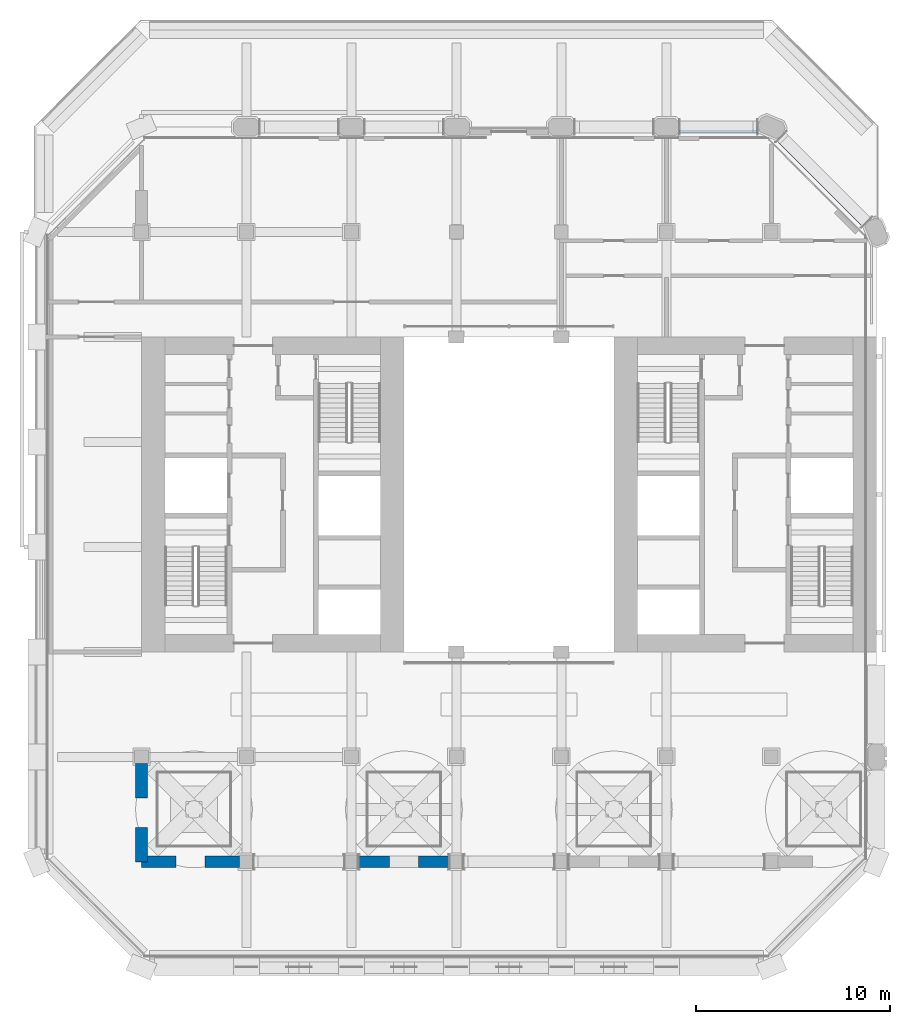
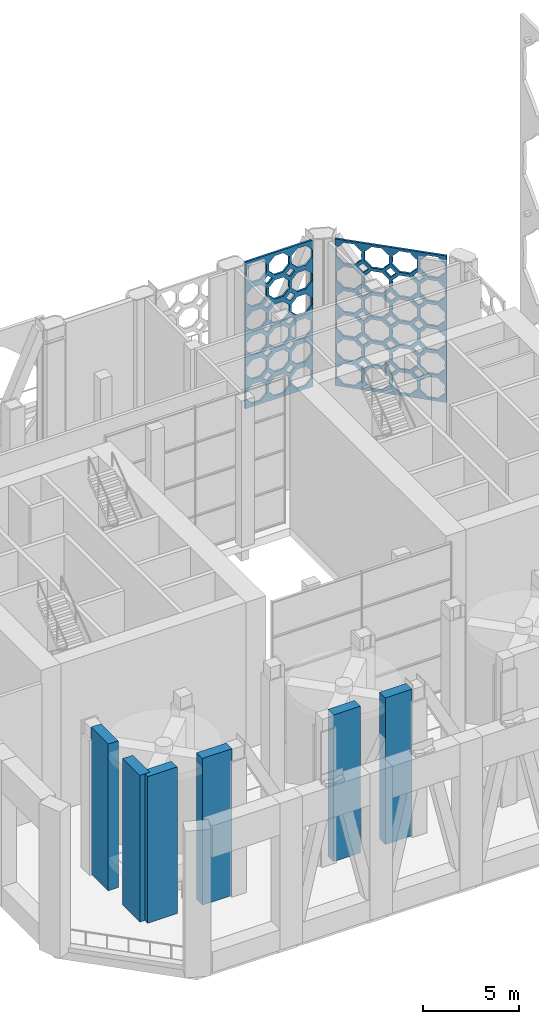
# One storey, part 9 of 28: 6 walls, 2 plates.
"""IFC4 building model written with IfcOpenShell, lengths in metres."""

from ifc_helpers import new_model, si_unit, direction, frame, frame_2d, origin, place, context, subcontext, project, spatial, polyline, rectangle, outline, extrude, material, layer, layer_set, type_object, element, save


model = new_model("IFC4")

# Units and contexts
model_context = context("Model", 3, precision=1e-05, world=origin(), true_north=direction((0.0, 1.0)))
body_context = subcontext(model_context, "Body", "Model", "MODEL_VIEW")
ifc_project = project(units=[si_unit("LENGTHUNIT", "METRE"), si_unit("AREAUNIT", "SQUARE_METRE"), si_unit("VOLUMEUNIT", "CUBIC_METRE"), si_unit("PLANEANGLEUNIT", "RADIAN"), si_unit("MASSUNIT", "GRAM", prefix="KILO")], contexts=[model_context])

# Site, building, storey
site_placement = place(None, origin())
site = spatial("IfcSite", under=ifc_project, at=site_placement, CompositionType="ELEMENT")
building_placement = place(site_placement, origin())
building = spatial("IfcBuilding", under=site, at=building_placement, Name="Tabaq Tower and Sports Hall", CompositionType="ELEMENT")
storey_placement = place(building_placement, frame((0.0, 0.0, 233.5)))
storey = spatial("IfcBuildingStorey", under=building, at=storey_placement, Name="L59", CompositionType="ELEMENT", Elevation=233.5)

# Plates
ifc_material_1 = material(Name="White precast concrete C60/75 pierced screen", Category="concrete")
ifc_layer_1 = layer(ifc_material_1, 0.1201171875)
ifc_layer_set_1 = layer_set([ifc_layer_1], Name="White precast concrete C60/75 screen 120")
plate_type = type_object("IfcPlateType", Name="White precast concrete C60/75 screen 120", PredefinedType="USERDEFINED", material=ifc_layer_set_1)
plate_1_placement = place(storey_placement, frame((42.43994140625, 38.20654296875, 0.0), z_axis=(0.0, 0.0, 1.0), x_axis=(-0.707106781187, 0.707106781187, 0.0)))
element("IfcPlate", 1, at=plate_1_placement, inside=storey, type_object=plate_type, Name="Pierced screen L59 NE", ObjectType="SCREEN", PredefinedType="USERDEFINED", context=body_context, shape_type="SweptSolid", body=[
    extrude(outline(polyline([(0.0, 0.0), (5.98681640625, 0.0), (5.98681640625, 9.300048828125), (0.0, 9.300048828125), (0.0, 0.0)]), holes=[polyline([(1.423095703125, 1.09619140625), (1.213134765625, 1.281494140625), (1.02783203125, 1.491455078125), (0.748291015625, 1.47412109375), (0.46875, 1.491455078125), (0.283447265625, 1.281494140625), (0.073486328125, 1.09619140625), (0.091064453125, 0.816650390625), (0.073486328125, 0.537109375), (0.283447265625, 0.351806640625), (0.46875, 0.141845703125), (0.748291015625, 0.159423828125), (1.02783203125, 0.141845703125), (1.213134765625, 0.351806640625), (1.423095703125, 0.537109375), (1.40576171875, 0.816650390625), (1.423095703125, 1.09619140625)]), polyline([(1.423095703125, 2.62939453125), (1.213134765625, 2.814697265625), (1.02783203125, 3.02490234375), (0.748291015625, 3.00732421875), (0.46875, 3.02490234375), (0.283447265625, 2.814697265625), (0.073486328125, 2.62939453125), (0.091064453125, 2.35009765625), (0.073486328125, 2.070556640625), (0.283447265625, 1.88525390625), (0.46875, 1.67529296875), (0.748291015625, 1.692626953125), (1.02783203125, 1.67529296875), (1.213134765625, 1.88525390625), (1.423095703125, 2.070556640625), (1.40576171875, 2.35009765625), (1.423095703125, 2.62939453125)]), polyline([(1.423095703125, 4.162841796875), (1.213134765625, 4.34814453125), (1.02783203125, 4.55810546875), (0.748291015625, 4.540771484375), (0.46875, 4.55810546875), (0.283447265625, 4.34814453125), (0.073486328125, 4.162841796875), (0.091064453125, 3.88330078125), (0.073486328125, 3.603759765625), (0.283447265625, 3.41845703125), (0.46875, 3.20849609375), (0.748291015625, 3.22607421875), (1.02783203125, 3.20849609375), (1.213134765625, 3.41845703125), (1.423095703125, 3.603759765625), (1.40576171875, 3.88330078125), (1.423095703125, 4.162841796875)]), polyline([(1.423095703125, 5.6962890625), (1.213134765625, 5.881591796875), (1.02783203125, 6.091552734375), (0.748291015625, 6.073974609375), (0.46875, 6.091552734375), (0.283447265625, 5.881591796875), (0.073486328125, 5.6962890625), (0.091064453125, 5.416748046875), (0.073486328125, 5.13720703125), (0.283447265625, 4.951904296875), (0.46875, 4.741943359375), (0.748291015625, 4.75927734375), (1.02783203125, 4.741943359375), (1.213134765625, 4.951904296875), (1.423095703125, 5.13720703125), (1.40576171875, 5.416748046875), (1.423095703125, 5.6962890625)]), polyline([(1.423095703125, 7.2294921875), (1.213134765625, 7.414794921875), (1.02783203125, 7.624755859375), (0.748291015625, 7.607421875), (0.46875, 7.624755859375), (0.283447265625, 7.414794921875), (0.073486328125, 7.2294921875), (0.091064453125, 6.949951171875), (0.073486328125, 6.67041015625), (0.283447265625, 6.485107421875), (0.46875, 6.275146484375), (0.748291015625, 6.292724609375), (1.02783203125, 6.275146484375), (1.213134765625, 6.485107421875), (1.423095703125, 6.67041015625), (1.40576171875, 6.949951171875), (1.423095703125, 7.2294921875)]), polyline([(1.423095703125, 8.762939453125), (1.213134765625, 8.9482421875), (1.02783203125, 9.158203125), (0.748291015625, 9.140625), (0.46875, 9.158203125), (0.283447265625, 8.9482421875), (0.073486328125, 8.762939453125), (0.091064453125, 8.4833984375), (0.073486328125, 8.203857421875), (0.283447265625, 8.0185546875), (0.46875, 7.80859375), (0.748291015625, 7.825927734375), (1.02783203125, 7.80859375), (1.213134765625, 8.0185546875), (1.423095703125, 8.203857421875), (1.40576171875, 8.4833984375), (1.423095703125, 8.762939453125)]), polyline([(2.919921875, 1.09619140625), (2.7099609375, 1.281494140625), (2.524658203125, 1.491455078125), (2.2451171875, 1.47412109375), (1.965576171875, 1.491455078125), (1.7802734375, 1.281494140625), (1.5703125, 1.09619140625), (1.587646484375, 0.816650390625), (1.5703125, 0.537109375), (1.7802734375, 0.351806640625), (1.965576171875, 0.141845703125), (2.2451171875, 0.159423828125), (2.524658203125, 0.141845703125), (2.7099609375, 0.351806640625), (2.919921875, 0.537109375), (2.90234375, 0.816650390625), (2.919921875, 1.09619140625)]), polyline([(2.919921875, 2.62939453125), (2.7099609375, 2.814697265625), (2.524658203125, 3.02490234375), (2.2451171875, 3.00732421875), (1.965576171875, 3.02490234375), (1.7802734375, 2.814697265625), (1.5703125, 2.62939453125), (1.587646484375, 2.35009765625), (1.5703125, 2.070556640625), (1.7802734375, 1.88525390625), (1.965576171875, 1.67529296875), (2.2451171875, 1.692626953125), (2.524658203125, 1.67529296875), (2.7099609375, 1.88525390625), (2.919921875, 2.070556640625), (2.90234375, 2.35009765625), (2.919921875, 2.62939453125)]), polyline([(2.919921875, 4.162841796875), (2.7099609375, 4.34814453125), (2.524658203125, 4.55810546875), (2.2451171875, 4.540771484375), (1.965576171875, 4.55810546875), (1.7802734375, 4.34814453125), (1.5703125, 4.162841796875), (1.587646484375, 3.88330078125), (1.5703125, 3.603759765625), (1.7802734375, 3.41845703125), (1.965576171875, 3.20849609375), (2.2451171875, 3.22607421875), (2.524658203125, 3.20849609375), (2.7099609375, 3.41845703125), (2.919921875, 3.603759765625), (2.90234375, 3.88330078125), (2.919921875, 4.162841796875)]), polyline([(2.919921875, 5.6962890625), (2.7099609375, 5.881591796875), (2.524658203125, 6.091552734375), (2.2451171875, 6.073974609375), (1.965576171875, 6.091552734375), (1.7802734375, 5.881591796875), (1.5703125, 5.6962890625), (1.587646484375, 5.416748046875), (1.5703125, 5.13720703125), (1.7802734375, 4.951904296875), (1.965576171875, 4.741943359375), (2.2451171875, 4.75927734375), (2.524658203125, 4.741943359375), (2.7099609375, 4.951904296875), (2.919921875, 5.13720703125), (2.90234375, 5.416748046875), (2.919921875, 5.6962890625)]), polyline([(2.919921875, 7.2294921875), (2.7099609375, 7.414794921875), (2.524658203125, 7.624755859375), (2.2451171875, 7.607421875), (1.965576171875, 7.624755859375), (1.7802734375, 7.414794921875), (1.5703125, 7.2294921875), (1.587646484375, 6.949951171875), (1.5703125, 6.67041015625), (1.7802734375, 6.485107421875), (1.965576171875, 6.275146484375), (2.2451171875, 6.292724609375), (2.524658203125, 6.275146484375), (2.7099609375, 6.485107421875), (2.919921875, 6.67041015625), (2.90234375, 6.949951171875), (2.919921875, 7.2294921875)]), polyline([(2.919921875, 8.762939453125), (2.7099609375, 8.9482421875), (2.524658203125, 9.158203125), (2.2451171875, 9.140625), (1.965576171875, 9.158203125), (1.7802734375, 8.9482421875), (1.5703125, 8.762939453125), (1.587646484375, 8.4833984375), (1.5703125, 8.203857421875), (1.7802734375, 8.0185546875), (1.965576171875, 7.80859375), (2.2451171875, 7.825927734375), (2.524658203125, 7.80859375), (2.7099609375, 8.0185546875), (2.919921875, 8.203857421875), (2.90234375, 8.4833984375), (2.919921875, 8.762939453125)]), polyline([(4.41650390625, 1.09619140625), (4.20654296875, 1.281494140625), (4.021240234375, 1.491455078125), (3.74169921875, 1.47412109375), (3.462158203125, 1.491455078125), (3.27685546875, 1.281494140625), (3.06689453125, 1.09619140625), (3.08447265625, 0.816650390625), (3.06689453125, 0.537109375), (3.27685546875, 0.351806640625), (3.462158203125, 0.141845703125), (3.74169921875, 0.159423828125), (4.021240234375, 0.141845703125), (4.20654296875, 0.351806640625), (4.41650390625, 0.537109375), (4.399169921875, 0.816650390625), (4.41650390625, 1.09619140625)]), polyline([(4.41650390625, 2.62939453125), (4.20654296875, 2.814697265625), (4.021240234375, 3.02490234375), (3.74169921875, 3.00732421875), (3.462158203125, 3.02490234375), (3.27685546875, 2.814697265625), (3.06689453125, 2.62939453125), (3.08447265625, 2.35009765625), (3.06689453125, 2.070556640625), (3.27685546875, 1.88525390625), (3.462158203125, 1.67529296875), (3.74169921875, 1.692626953125), (4.021240234375, 1.67529296875), (4.20654296875, 1.88525390625), (4.41650390625, 2.070556640625), (4.399169921875, 2.35009765625), (4.41650390625, 2.62939453125)]), polyline([(4.41650390625, 4.162841796875), (4.20654296875, 4.34814453125), (4.021240234375, 4.55810546875), (3.74169921875, 4.540771484375), (3.462158203125, 4.55810546875), (3.27685546875, 4.34814453125), (3.06689453125, 4.162841796875), (3.08447265625, 3.88330078125), (3.06689453125, 3.603759765625), (3.27685546875, 3.41845703125), (3.462158203125, 3.20849609375), (3.74169921875, 3.22607421875), (4.021240234375, 3.20849609375), (4.20654296875, 3.41845703125), (4.41650390625, 3.603759765625), (4.399169921875, 3.88330078125), (4.41650390625, 4.162841796875)]), polyline([(4.41650390625, 5.6962890625), (4.20654296875, 5.881591796875), (4.021240234375, 6.091552734375), (3.74169921875, 6.073974609375), (3.462158203125, 6.091552734375), (3.27685546875, 5.881591796875), (3.06689453125, 5.6962890625), (3.08447265625, 5.416748046875), (3.06689453125, 5.13720703125), (3.27685546875, 4.951904296875), (3.462158203125, 4.741943359375), (3.74169921875, 4.75927734375), (4.021240234375, 4.741943359375), (4.20654296875, 4.951904296875), (4.41650390625, 5.13720703125), (4.399169921875, 5.416748046875), (4.41650390625, 5.6962890625)]), polyline([(4.41650390625, 7.2294921875), (4.20654296875, 7.414794921875), (4.021240234375, 7.624755859375), (3.74169921875, 7.607421875), (3.462158203125, 7.624755859375), (3.27685546875, 7.414794921875), (3.06689453125, 7.2294921875), (3.08447265625, 6.949951171875), (3.06689453125, 6.67041015625), (3.27685546875, 6.485107421875), (3.462158203125, 6.275146484375), (3.74169921875, 6.292724609375), (4.021240234375, 6.275146484375), (4.20654296875, 6.485107421875), (4.41650390625, 6.67041015625), (4.399169921875, 6.949951171875), (4.41650390625, 7.2294921875)]), polyline([(4.41650390625, 8.762939453125), (4.20654296875, 8.9482421875), (4.021240234375, 9.158203125), (3.74169921875, 9.140625), (3.462158203125, 9.158203125), (3.27685546875, 8.9482421875), (3.06689453125, 8.762939453125), (3.08447265625, 8.4833984375), (3.06689453125, 8.203857421875), (3.27685546875, 8.0185546875), (3.462158203125, 7.80859375), (3.74169921875, 7.825927734375), (4.021240234375, 7.80859375), (4.20654296875, 8.0185546875), (4.41650390625, 8.203857421875), (4.399169921875, 8.4833984375), (4.41650390625, 8.762939453125)]), polyline([(5.9130859375, 1.09619140625), (5.703125, 1.281494140625), (5.517822265625, 1.491455078125), (5.238525390625, 1.47412109375), (4.958984375, 1.491455078125), (4.773681640625, 1.281494140625), (4.563720703125, 1.09619140625), (4.5810546875, 0.816650390625), (4.563720703125, 0.537109375), (4.773681640625, 0.351806640625), (4.958984375, 0.141845703125), (5.238525390625, 0.159423828125), (5.517822265625, 0.141845703125), (5.703125, 0.351806640625), (5.9130859375, 0.537109375), (5.895751953125, 0.816650390625), (5.9130859375, 1.09619140625)]), polyline([(5.9130859375, 2.62939453125), (5.703125, 2.814697265625), (5.517822265625, 3.02490234375), (5.238525390625, 3.00732421875), (4.958984375, 3.02490234375), (4.773681640625, 2.814697265625), (4.563720703125, 2.62939453125), (4.5810546875, 2.35009765625), (4.563720703125, 2.070556640625), (4.773681640625, 1.88525390625), (4.958984375, 1.67529296875), (5.238525390625, 1.692626953125), (5.517822265625, 1.67529296875), (5.703125, 1.88525390625), (5.9130859375, 2.070556640625), (5.895751953125, 2.35009765625), (5.9130859375, 2.62939453125)]), polyline([(5.9130859375, 4.162841796875), (5.703125, 4.34814453125), (5.517822265625, 4.55810546875), (5.238525390625, 4.540771484375), (4.958984375, 4.55810546875), (4.773681640625, 4.34814453125), (4.563720703125, 4.162841796875), (4.5810546875, 3.88330078125), (4.563720703125, 3.603759765625), (4.773681640625, 3.41845703125), (4.958984375, 3.20849609375), (5.238525390625, 3.22607421875), (5.517822265625, 3.20849609375), (5.703125, 3.41845703125), (5.9130859375, 3.603759765625), (5.895751953125, 3.88330078125), (5.9130859375, 4.162841796875)]), polyline([(5.9130859375, 5.6962890625), (5.703125, 5.881591796875), (5.517822265625, 6.091552734375), (5.238525390625, 6.073974609375), (4.958984375, 6.091552734375), (4.773681640625, 5.881591796875), (4.563720703125, 5.6962890625), (4.5810546875, 5.416748046875), (4.563720703125, 5.13720703125), (4.773681640625, 4.951904296875), (4.958984375, 4.741943359375), (5.238525390625, 4.75927734375), (5.517822265625, 4.741943359375), (5.703125, 4.951904296875), (5.9130859375, 5.13720703125), (5.895751953125, 5.416748046875), (5.9130859375, 5.6962890625)]), polyline([(5.9130859375, 7.2294921875), (5.703125, 7.414794921875), (5.517822265625, 7.624755859375), (5.238525390625, 7.607421875), (4.958984375, 7.624755859375), (4.773681640625, 7.414794921875), (4.563720703125, 7.2294921875), (4.5810546875, 6.949951171875), (4.563720703125, 6.67041015625), (4.773681640625, 6.485107421875), (4.958984375, 6.275146484375), (5.238525390625, 6.292724609375), (5.517822265625, 6.275146484375), (5.703125, 6.485107421875), (5.9130859375, 6.67041015625), (5.895751953125, 6.949951171875), (5.9130859375, 7.2294921875)]), polyline([(5.9130859375, 8.762939453125), (5.703125, 8.9482421875), (5.517822265625, 9.158203125), (5.238525390625, 9.140625), (4.958984375, 9.158203125), (4.773681640625, 8.9482421875), (4.563720703125, 8.762939453125), (4.5810546875, 8.4833984375), (4.563720703125, 8.203857421875), (4.773681640625, 8.0185546875), (4.958984375, 7.80859375), (5.238525390625, 7.825927734375), (5.517822265625, 7.80859375), (5.703125, 8.0185546875), (5.9130859375, 8.203857421875), (5.895751953125, 8.4833984375), (5.9130859375, 8.762939453125)]), polyline([(1.796142578125, 1.583251953125), (1.49658203125, 1.882568359375), (1.197265625, 1.583251953125), (1.49658203125, 1.283935546875), (1.796142578125, 1.583251953125)]), polyline([(1.796142578125, 3.11669921875), (1.49658203125, 3.416015625), (1.197265625, 3.11669921875), (1.49658203125, 2.8173828125), (1.796142578125, 3.11669921875)]), polyline([(1.796142578125, 4.64990234375), (1.49658203125, 4.94921875), (1.197265625, 4.64990234375), (1.49658203125, 4.3505859375), (1.796142578125, 4.64990234375)]), polyline([(1.796142578125, 6.183349609375), (1.49658203125, 6.482666015625), (1.197265625, 6.183349609375), (1.49658203125, 5.884033203125), (1.796142578125, 6.183349609375)]), polyline([(1.796142578125, 7.716552734375), (1.49658203125, 8.01611328125), (1.197265625, 7.716552734375), (1.49658203125, 7.417236328125), (1.796142578125, 7.716552734375)]), polyline([(3.292724609375, 1.583251953125), (2.993408203125, 1.882568359375), (2.694091796875, 1.583251953125), (2.993408203125, 1.283935546875), (3.292724609375, 1.583251953125)]), polyline([(3.292724609375, 3.11669921875), (2.993408203125, 3.416015625), (2.694091796875, 3.11669921875), (2.993408203125, 2.8173828125), (3.292724609375, 3.11669921875)]), polyline([(3.292724609375, 4.64990234375), (2.993408203125, 4.94921875), (2.694091796875, 4.64990234375), (2.993408203125, 4.3505859375), (3.292724609375, 4.64990234375)]), polyline([(3.292724609375, 6.183349609375), (2.993408203125, 6.482666015625), (2.694091796875, 6.183349609375), (2.993408203125, 5.884033203125), (3.292724609375, 6.183349609375)]), polyline([(3.292724609375, 7.716552734375), (2.993408203125, 8.01611328125), (2.694091796875, 7.716552734375), (2.993408203125, 7.417236328125), (3.292724609375, 7.716552734375)]), polyline([(4.789306640625, 1.583251953125), (4.489990234375, 1.882568359375), (4.190673828125, 1.583251953125), (4.489990234375, 1.283935546875), (4.789306640625, 1.583251953125)]), polyline([(4.789306640625, 3.11669921875), (4.489990234375, 3.416015625), (4.190673828125, 3.11669921875), (4.489990234375, 2.8173828125), (4.789306640625, 3.11669921875)]), polyline([(4.789306640625, 4.64990234375), (4.489990234375, 4.94921875), (4.190673828125, 4.64990234375), (4.489990234375, 4.3505859375), (4.789306640625, 4.64990234375)]), polyline([(4.789306640625, 6.183349609375), (4.489990234375, 6.482666015625), (4.190673828125, 6.183349609375), (4.489990234375, 5.884033203125), (4.789306640625, 6.183349609375)]), polyline([(4.789306640625, 7.716552734375), (4.489990234375, 8.01611328125), (4.190673828125, 7.716552734375), (4.489990234375, 7.417236328125), (4.789306640625, 7.716552734375)])]), frame((0.0, 0.06005859375, 0.0), z_axis=(0.0, -1.0, 0.0), x_axis=(1.0, 0.0, 0.0)), (0.0, 0.0, 1.0), 0.1201171875),
])
plate_2_placement = place(storey_placement, frame((37.125, 42.949951171875, 0.0), z_axis=(0.0, 0.0, 1.0), x_axis=(-1.0, 0.0, 0.0)))
element("IfcPlate", 2, at=plate_2_placement, inside=storey, type_object=plate_type, Name="Pierced screen L59 N", ObjectType="SCREEN", PredefinedType="USERDEFINED", context=body_context, shape_type="SweptSolid", body=[
    extrude(outline(polyline([(0.0, 0.0), (4.050048828125, 0.0), (4.050048828125, 9.300048828125), (0.0, 9.300048828125), (0.0, 0.0)]), holes=[polyline([(1.28369140625, 1.06884765625), (1.103515625, 1.245361328125), (0.927001953125, 1.42529296875), (0.675048828125, 1.4228515625), (0.4228515625, 1.42529296875), (0.246337890625, 1.245361328125), (0.06640625, 1.06884765625), (0.06884765625, 0.816650390625), (0.06640625, 0.564453125), (0.246337890625, 0.38818359375), (0.4228515625, 0.2080078125), (0.675048828125, 0.21044921875), (0.927001953125, 0.2080078125), (1.103515625, 0.38818359375), (1.28369140625, 0.564453125), (1.281005859375, 0.816650390625), (1.28369140625, 1.06884765625)]), polyline([(1.28369140625, 2.60205078125), (1.103515625, 2.778564453125), (0.927001953125, 2.958740234375), (0.675048828125, 2.9560546875), (0.4228515625, 2.958740234375), (0.246337890625, 2.778564453125), (0.06640625, 2.60205078125), (0.06884765625, 2.35009765625), (0.06640625, 2.097900390625), (0.246337890625, 1.92138671875), (0.4228515625, 1.741455078125), (0.675048828125, 1.743896484375), (0.927001953125, 1.741455078125), (1.103515625, 1.92138671875), (1.28369140625, 2.097900390625), (1.281005859375, 2.35009765625), (1.28369140625, 2.60205078125)]), polyline([(1.28369140625, 4.135498046875), (1.103515625, 4.31201171875), (0.927001953125, 4.491943359375), (0.675048828125, 4.489501953125), (0.4228515625, 4.491943359375), (0.246337890625, 4.31201171875), (0.06640625, 4.135498046875), (0.06884765625, 3.88330078125), (0.06640625, 3.631103515625), (0.246337890625, 3.454833984375), (0.4228515625, 3.274658203125), (0.675048828125, 3.27734375), (0.927001953125, 3.274658203125), (1.103515625, 3.454833984375), (1.28369140625, 3.631103515625), (1.281005859375, 3.88330078125), (1.28369140625, 4.135498046875)]), polyline([(1.28369140625, 5.668701171875), (1.103515625, 5.84521484375), (0.927001953125, 6.025390625), (0.675048828125, 6.022705078125), (0.4228515625, 6.025390625), (0.246337890625, 5.84521484375), (0.06640625, 5.668701171875), (0.06884765625, 5.416748046875), (0.06640625, 5.16455078125), (0.246337890625, 4.988037109375), (0.4228515625, 4.80810546875), (0.675048828125, 4.810546875), (0.927001953125, 4.80810546875), (1.103515625, 4.988037109375), (1.28369140625, 5.16455078125), (1.281005859375, 5.416748046875), (1.28369140625, 5.668701171875)]), polyline([(1.28369140625, 7.2021484375), (1.103515625, 7.378662109375), (0.927001953125, 7.55859375), (0.675048828125, 7.55615234375), (0.4228515625, 7.55859375), (0.246337890625, 7.378662109375), (0.06640625, 7.2021484375), (0.06884765625, 6.949951171875), (0.06640625, 6.697998046875), (0.246337890625, 6.521484375), (0.4228515625, 6.34130859375), (0.675048828125, 6.343994140625), (0.927001953125, 6.34130859375), (1.103515625, 6.521484375), (1.28369140625, 6.697998046875), (1.281005859375, 6.949951171875), (1.28369140625, 7.2021484375)]), polyline([(1.28369140625, 8.7353515625), (1.103515625, 8.911865234375), (0.927001953125, 9.092041015625), (0.675048828125, 9.08935546875), (0.4228515625, 9.092041015625), (0.246337890625, 8.911865234375), (0.06640625, 8.7353515625), (0.06884765625, 8.4833984375), (0.06640625, 8.231201171875), (0.246337890625, 8.0546875), (0.4228515625, 7.874755859375), (0.675048828125, 7.877197265625), (0.927001953125, 7.874755859375), (1.103515625, 8.0546875), (1.28369140625, 8.231201171875), (1.281005859375, 8.4833984375), (1.28369140625, 8.7353515625)]), polyline([(2.633544921875, 1.06884765625), (2.45361328125, 1.245361328125), (2.277099609375, 1.42529296875), (2.02490234375, 1.4228515625), (1.77294921875, 1.42529296875), (1.596435546875, 1.245361328125), (1.416259765625, 1.06884765625), (1.4189453125, 0.816650390625), (1.416259765625, 0.564453125), (1.596435546875, 0.38818359375), (1.77294921875, 0.2080078125), (2.02490234375, 0.21044921875), (2.277099609375, 0.2080078125), (2.45361328125, 0.38818359375), (2.633544921875, 0.564453125), (2.631103515625, 0.816650390625), (2.633544921875, 1.06884765625)]), polyline([(2.633544921875, 2.60205078125), (2.45361328125, 2.778564453125), (2.277099609375, 2.958740234375), (2.02490234375, 2.9560546875), (1.77294921875, 2.958740234375), (1.596435546875, 2.778564453125), (1.416259765625, 2.60205078125), (1.4189453125, 2.35009765625), (1.416259765625, 2.097900390625), (1.596435546875, 1.92138671875), (1.77294921875, 1.741455078125), (2.02490234375, 1.743896484375), (2.277099609375, 1.741455078125), (2.45361328125, 1.92138671875), (2.633544921875, 2.097900390625), (2.631103515625, 2.35009765625), (2.633544921875, 2.60205078125)]), polyline([(2.633544921875, 4.135498046875), (2.45361328125, 4.31201171875), (2.277099609375, 4.491943359375), (2.02490234375, 4.489501953125), (1.77294921875, 4.491943359375), (1.596435546875, 4.31201171875), (1.416259765625, 4.135498046875), (1.4189453125, 3.88330078125), (1.416259765625, 3.631103515625), (1.596435546875, 3.454833984375), (1.77294921875, 3.274658203125), (2.02490234375, 3.27734375), (2.277099609375, 3.274658203125), (2.45361328125, 3.454833984375), (2.633544921875, 3.631103515625), (2.631103515625, 3.88330078125), (2.633544921875, 4.135498046875)]), polyline([(2.633544921875, 5.668701171875), (2.45361328125, 5.84521484375), (2.277099609375, 6.025390625), (2.02490234375, 6.022705078125), (1.77294921875, 6.025390625), (1.596435546875, 5.84521484375), (1.416259765625, 5.668701171875), (1.4189453125, 5.416748046875), (1.416259765625, 5.16455078125), (1.596435546875, 4.988037109375), (1.77294921875, 4.80810546875), (2.02490234375, 4.810546875), (2.277099609375, 4.80810546875), (2.45361328125, 4.988037109375), (2.633544921875, 5.16455078125), (2.631103515625, 5.416748046875), (2.633544921875, 5.668701171875)]), polyline([(2.633544921875, 7.2021484375), (2.45361328125, 7.378662109375), (2.277099609375, 7.55859375), (2.02490234375, 7.55615234375), (1.77294921875, 7.55859375), (1.596435546875, 7.378662109375), (1.416259765625, 7.2021484375), (1.4189453125, 6.949951171875), (1.416259765625, 6.697998046875), (1.596435546875, 6.521484375), (1.77294921875, 6.34130859375), (2.02490234375, 6.343994140625), (2.277099609375, 6.34130859375), (2.45361328125, 6.521484375), (2.633544921875, 6.697998046875), (2.631103515625, 6.949951171875), (2.633544921875, 7.2021484375)]), polyline([(2.633544921875, 8.7353515625), (2.45361328125, 8.911865234375), (2.277099609375, 9.092041015625), (2.02490234375, 9.08935546875), (1.77294921875, 9.092041015625), (1.596435546875, 8.911865234375), (1.416259765625, 8.7353515625), (1.4189453125, 8.4833984375), (1.416259765625, 8.231201171875), (1.596435546875, 8.0546875), (1.77294921875, 7.874755859375), (2.02490234375, 7.877197265625), (2.277099609375, 7.874755859375), (2.45361328125, 8.0546875), (2.633544921875, 8.231201171875), (2.631103515625, 8.4833984375), (2.633544921875, 8.7353515625)]), polyline([(3.983642578125, 1.06884765625), (3.803466796875, 1.245361328125), (3.627197265625, 1.42529296875), (3.375, 1.4228515625), (3.122802734375, 1.42529296875), (2.946533203125, 1.245361328125), (2.766357421875, 1.06884765625), (2.768798828125, 0.816650390625), (2.766357421875, 0.564453125), (2.946533203125, 0.38818359375), (3.122802734375, 0.2080078125), (3.375, 0.21044921875), (3.627197265625, 0.2080078125), (3.803466796875, 0.38818359375), (3.983642578125, 0.564453125), (3.981201171875, 0.816650390625), (3.983642578125, 1.06884765625)]), polyline([(3.983642578125, 2.60205078125), (3.803466796875, 2.778564453125), (3.627197265625, 2.958740234375), (3.375, 2.9560546875), (3.122802734375, 2.958740234375), (2.946533203125, 2.778564453125), (2.766357421875, 2.60205078125), (2.768798828125, 2.35009765625), (2.766357421875, 2.097900390625), (2.946533203125, 1.92138671875), (3.122802734375, 1.741455078125), (3.375, 1.743896484375), (3.627197265625, 1.741455078125), (3.803466796875, 1.92138671875), (3.983642578125, 2.097900390625), (3.981201171875, 2.35009765625), (3.983642578125, 2.60205078125)]), polyline([(3.983642578125, 4.135498046875), (3.803466796875, 4.31201171875), (3.627197265625, 4.491943359375), (3.375, 4.489501953125), (3.122802734375, 4.491943359375), (2.946533203125, 4.31201171875), (2.766357421875, 4.135498046875), (2.768798828125, 3.88330078125), (2.766357421875, 3.631103515625), (2.946533203125, 3.454833984375), (3.122802734375, 3.274658203125), (3.375, 3.27734375), (3.627197265625, 3.274658203125), (3.803466796875, 3.454833984375), (3.983642578125, 3.631103515625), (3.981201171875, 3.88330078125), (3.983642578125, 4.135498046875)]), polyline([(3.983642578125, 5.668701171875), (3.803466796875, 5.84521484375), (3.627197265625, 6.025390625), (3.375, 6.022705078125), (3.122802734375, 6.025390625), (2.946533203125, 5.84521484375), (2.766357421875, 5.668701171875), (2.768798828125, 5.416748046875), (2.766357421875, 5.16455078125), (2.946533203125, 4.988037109375), (3.122802734375, 4.80810546875), (3.375, 4.810546875), (3.627197265625, 4.80810546875), (3.803466796875, 4.988037109375), (3.983642578125, 5.16455078125), (3.981201171875, 5.416748046875), (3.983642578125, 5.668701171875)]), polyline([(3.983642578125, 7.2021484375), (3.803466796875, 7.378662109375), (3.627197265625, 7.55859375), (3.375, 7.55615234375), (3.122802734375, 7.55859375), (2.946533203125, 7.378662109375), (2.766357421875, 7.2021484375), (2.768798828125, 6.949951171875), (2.766357421875, 6.697998046875), (2.946533203125, 6.521484375), (3.122802734375, 6.34130859375), (3.375, 6.343994140625), (3.627197265625, 6.34130859375), (3.803466796875, 6.521484375), (3.983642578125, 6.697998046875), (3.981201171875, 6.949951171875), (3.983642578125, 7.2021484375)]), polyline([(3.983642578125, 8.7353515625), (3.803466796875, 8.911865234375), (3.627197265625, 9.092041015625), (3.375, 9.08935546875), (3.122802734375, 9.092041015625), (2.946533203125, 8.911865234375), (2.766357421875, 8.7353515625), (2.768798828125, 8.4833984375), (2.766357421875, 8.231201171875), (2.946533203125, 8.0546875), (3.122802734375, 7.874755859375), (3.375, 7.877197265625), (3.627197265625, 7.874755859375), (3.803466796875, 8.0546875), (3.983642578125, 8.231201171875), (3.981201171875, 8.4833984375), (3.983642578125, 8.7353515625)]), polyline([(1.6201171875, 1.583251953125), (1.35009765625, 1.853271484375), (1.080078125, 1.583251953125), (1.35009765625, 1.313232421875), (1.6201171875, 1.583251953125)]), polyline([(1.6201171875, 3.11669921875), (1.35009765625, 3.38671875), (1.080078125, 3.11669921875), (1.35009765625, 2.8466796875), (1.6201171875, 3.11669921875)]), polyline([(1.6201171875, 4.64990234375), (1.35009765625, 4.919921875), (1.080078125, 4.64990234375), (1.35009765625, 4.3798828125), (1.6201171875, 4.64990234375)]), polyline([(1.6201171875, 6.183349609375), (1.35009765625, 6.453369140625), (1.080078125, 6.183349609375), (1.35009765625, 5.913330078125), (1.6201171875, 6.183349609375)]), polyline([(1.6201171875, 7.716552734375), (1.35009765625, 7.986572265625), (1.080078125, 7.716552734375), (1.35009765625, 7.44677734375), (1.6201171875, 7.716552734375)]), polyline([(2.969970703125, 1.583251953125), (2.699951171875, 1.853271484375), (2.429931640625, 1.583251953125), (2.699951171875, 1.313232421875), (2.969970703125, 1.583251953125)]), polyline([(2.969970703125, 3.11669921875), (2.699951171875, 3.38671875), (2.429931640625, 3.11669921875), (2.699951171875, 2.8466796875), (2.969970703125, 3.11669921875)]), polyline([(2.969970703125, 4.64990234375), (2.699951171875, 4.919921875), (2.429931640625, 4.64990234375), (2.699951171875, 4.3798828125), (2.969970703125, 4.64990234375)]), polyline([(2.969970703125, 6.183349609375), (2.699951171875, 6.453369140625), (2.429931640625, 6.183349609375), (2.699951171875, 5.913330078125), (2.969970703125, 6.183349609375)]), polyline([(2.969970703125, 7.716552734375), (2.699951171875, 7.986572265625), (2.429931640625, 7.716552734375), (2.699951171875, 7.44677734375), (2.969970703125, 7.716552734375)])]), frame((0.0, 0.06005859375, 0.0), z_axis=(0.0, -1.0, 0.0), x_axis=(1.0, 0.0, 0.0)), (0.0, 0.0, 1.0), 0.1201171875),
])

# Walls
ifc_material_2 = material(Name="Concrete C40/50", Category="concrete")
ifc_layer_2 = layer(ifc_material_2, 0.60009765625)
ifc_layer_set_2 = layer_set([ifc_layer_2], Name="RC TRANSFER WALL 600 C40/50")
wall_type = type_object("IfcWallType", Name="RC TRANSFER WALL 600 C40/50", PredefinedType="SHEAR", material=ifc_layer_set_2)
wall_1_placement = place(storey_placement, frame((5.39990234375, 5.39990234375, 0.0), z_axis=(0.0, 0.0, 1.0), x_axis=(0.0, 1.0, 0.0)))
element("IfcWall", 3, at=wall_1_placement, inside=storey, type_object=wall_type, Name="Transfer Wall L59 West 1", PredefinedType="SHEAR", context=body_context, shape_type="SweptSolid", body=[
    extrude(rectangle(XDim=1.775146484375, YDim=0.60009765625, at=frame_2d((0.8876953125, 0.0))), origin(), (0.0, 0.0, 1.0), 9.300048828125),
])
wall_2_placement = place(storey_placement, frame((5.39990234375, 8.675048828125, 0.0), z_axis=(0.0, 0.0, 1.0), x_axis=(0.0, 1.0, 0.0)))
element("IfcWall", 4, at=wall_2_placement, inside=storey, type_object=wall_type, Name="Transfer Wall L59 West 2", PredefinedType="SHEAR", context=body_context, shape_type="SweptSolid", body=[
    extrude(rectangle(XDim=1.77490234375, YDim=0.60009765625, at=frame_2d((0.887451171875, 0.0))), origin(), (0.0, 0.0, 1.0), 9.300048828125),
])
wall_3_placement = place(storey_placement, frame((5.39990234375, 5.39990234375, 0.0), z_axis=(0.0, 0.0, 1.0), x_axis=(1.0, 0.0, 0.0)))
element("IfcWall", 5, at=wall_3_placement, inside=storey, type_object=wall_type, Name="Transfer Wall L59 South 5", PredefinedType="SHEAR", context=body_context, shape_type="SweptSolid", body=[
    extrude(rectangle(XDim=1.775146484375, YDim=0.60009765625, at=frame_2d((0.8876953125, 0.0))), origin(), (0.0, 0.0, 1.0), 9.300048828125),
])
wall_4_placement = place(storey_placement, frame((8.675048828125, 5.39990234375, 0.0), z_axis=(0.0, 0.0, 1.0), x_axis=(1.0, 0.0, 0.0)))
element("IfcWall", 6, at=wall_4_placement, inside=storey, type_object=wall_type, Name="Transfer Wall L59 South 6", PredefinedType="SHEAR", context=body_context, shape_type="SweptSolid", body=[
    extrude(rectangle(XDim=1.77490234375, YDim=0.60009765625, at=frame_2d((0.887451171875, 0.0))), origin(), (0.0, 0.0, 1.0), 9.300048828125),
])
wall_5_placement = place(storey_placement, frame((16.550048828125, 5.39990234375, 0.0), z_axis=(0.0, 0.0, 1.0), x_axis=(1.0, 0.0, 0.0)))
element("IfcWall", 7, at=wall_5_placement, inside=storey, type_object=wall_type, Name="Transfer Wall L59 South 7", PredefinedType="SHEAR", context=body_context, shape_type="SweptSolid", body=[
    extrude(rectangle(XDim=1.599853515625, YDim=0.60009765625, at=frame_2d((0.7998046875, 0.0))), origin(), (0.0, 0.0, 1.0), 9.300048828125),
])
wall_6_placement = place(storey_placement, frame((19.64990234375, 5.39990234375, 0.0), z_axis=(0.0, 0.0, 1.0), x_axis=(1.0, 0.0, 0.0)))
element("IfcWall", 8, at=wall_6_placement, inside=storey, type_object=wall_type, Name="Transfer Wall L59 South 8", PredefinedType="SHEAR", context=body_context, shape_type="SweptSolid", body=[
    extrude(rectangle(XDim=1.60009765625, YDim=0.60009765625, at=frame_2d((0.800048828125, 0.0))), origin(), (0.0, 0.0, 1.0), 9.300048828125),
])

save(model, "model.ifc")
